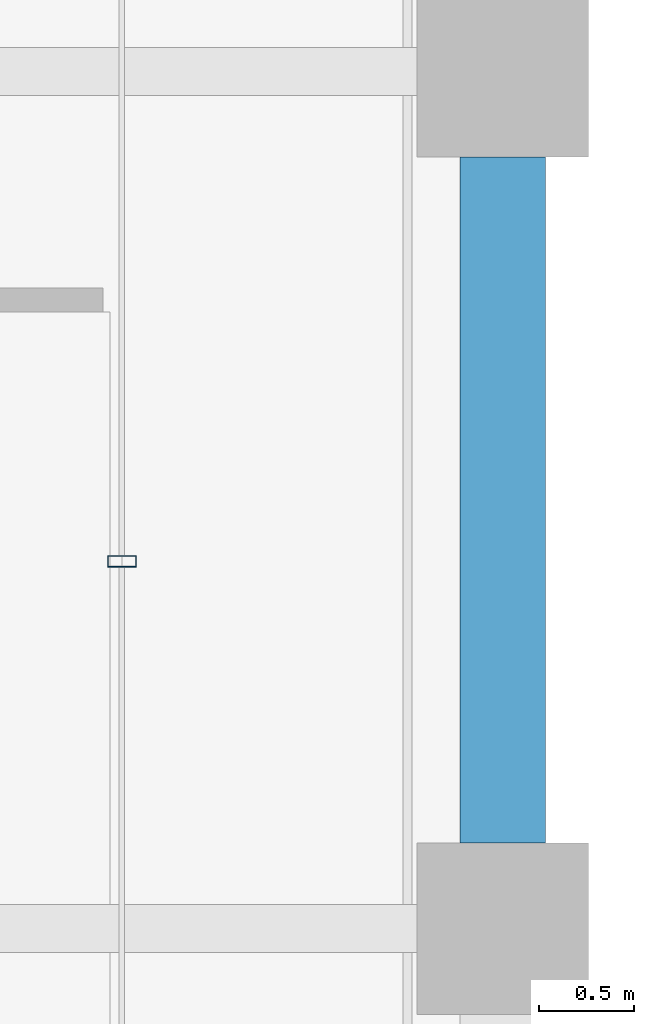
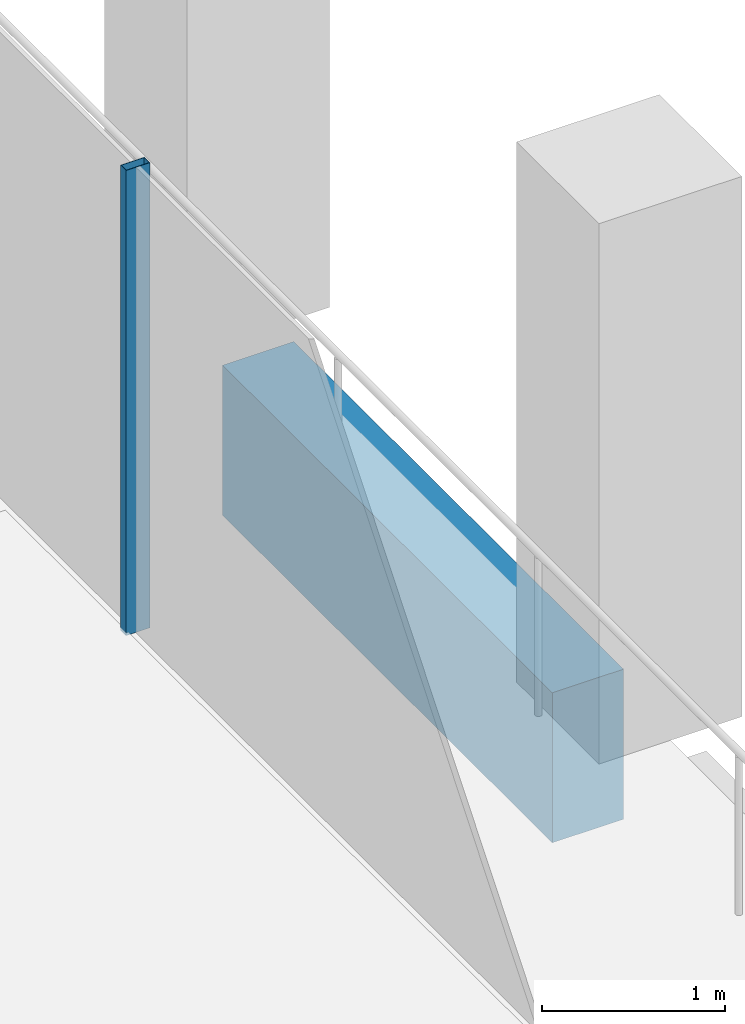
# One storey, part 17 of 40: 1 beam, 1 member, 1 element without a shape of its own.
"""IFC4 building model written with IfcOpenShell, lengths in metres."""

from ifc_helpers import new_model, si_unit, direction, frame, origin, origin_2d, place, context, subcontext, project, spatial, rectangle, hollow_rectangle, extrude, material, material_profile, profile_set, type_object, element, aggregate, save


model = new_model("IFC4")

# Units and contexts
model_context = context("Model", 3, precision=1e-05, world=origin(), true_north=direction((0.0, 1.0)))
body_context = subcontext(model_context, "Body", "Model", "MODEL_VIEW")
ifc_project = project(units=[si_unit("LENGTHUNIT", "METRE"), si_unit("AREAUNIT", "SQUARE_METRE"), si_unit("VOLUMEUNIT", "CUBIC_METRE"), si_unit("PLANEANGLEUNIT", "RADIAN"), si_unit("MASSUNIT", "GRAM", prefix="KILO")], contexts=[model_context])

# Site, building, storey
site_placement = place(None, origin())
site = spatial("IfcSite", under=ifc_project, at=site_placement, CompositionType="ELEMENT")
building_placement = place(site_placement, origin())
building = spatial("IfcBuilding", under=site, at=building_placement, Name="Altepetl Exchange Towers", CompositionType="ELEMENT")
storey_placement = place(building_placement, frame((0.0, 0.0, 165.39990234375)))
storey = spatial("IfcBuildingStorey", under=building, at=storey_placement, Name="L41", CompositionType="ELEMENT", Elevation=165.39990234375)

# Curtain wall, member
ifc_material_1 = material(Name="Aluminium 6063-T6 glazing", Category="aluminium")
curtain_wall_type = type_object("IfcCurtainWallType", Name="Loggia glazing system", PredefinedType="NOTDEFINED", material=ifc_material_1)
curtain_wall_placement = place(storey_placement, origin())
curtain_wall = element("IfcCurtainWall", 1, at=curtain_wall_placement, inside=storey, type_object=curtain_wall_type, Name="CW1 run", PredefinedType="NOTDEFINED")
ifc_material_2 = material(Name="Aluminium 6063-T6", Category="aluminium")
ifc_material_profile_1 = material_profile(ifc_material_2, hollow_rectangle(XDim=0.06005859375, YDim=0.14990234375, WallThickness=0.0029296875, at=origin_2d()), Name="Mullion 60x150 aluminium")
ifc_profile_set_1 = profile_set([ifc_material_profile_1], Name="Aluminium 6063-T6")
member_type = type_object("IfcMemberType", Name="Mullion 60x150 aluminium", PredefinedType="MULLION", material=ifc_profile_set_1)
member_placement = place(storey_placement, frame((70.0, 46.927978515625, 0.0), z_axis=(0.0, 0.0, 1.0), x_axis=(0.0, 1.0, 0.0)))
member = element("IfcMember", 2, at=member_placement, type_object=member_type, Name="MU1 mullion", PredefinedType="MULLION", context=body_context, shape_type="SweptSolid", body=[
    extrude(hollow_rectangle(XDim=0.06005859375, YDim=0.14990234375, WallThickness=0.0029296875, at=origin_2d()), origin(), (0.0, 0.0, 1.0), 3.10009765625),
])
aggregate(curtain_wall, [member])

# Beam
ifc_material_3 = material(Name="Concrete C50/60 precast with cantera amarilla facing", Category="concrete")
ifc_material_profile_2 = material_profile(ifc_material_3, rectangle(XDim=0.449951171875, YDim=1.0, at=origin_2d()), Name="450 x 1000")
ifc_profile_set_2 = profile_set([ifc_material_profile_2], Name="Concrete C50/60 precast with cantera amarilla facing")
beam_type = type_object("IfcBeamType", Name="Spandrel beam 450x1000 cantera amarilla", PredefinedType="SPANDREL", material=ifc_profile_set_2)
beam_placement = place(storey_placement, frame((72.0, 45.449951171875, -0.64990234375), z_axis=(0.0, 1.0, 0.0), x_axis=(-1.0, 0.0, 0.0)))
element("IfcBeam", 3, at=beam_placement, inside=storey, type_object=beam_type, Name="sp:A:L41:015", PredefinedType="SPANDREL", context=body_context, shape_type="SweptSolid", body=[
    extrude(rectangle(XDim=0.449951171875, YDim=1.0, at=origin_2d()), origin(), (0.0, 0.0, 1.0), 3.60009765625),
])

save(model, "model.ifc")
